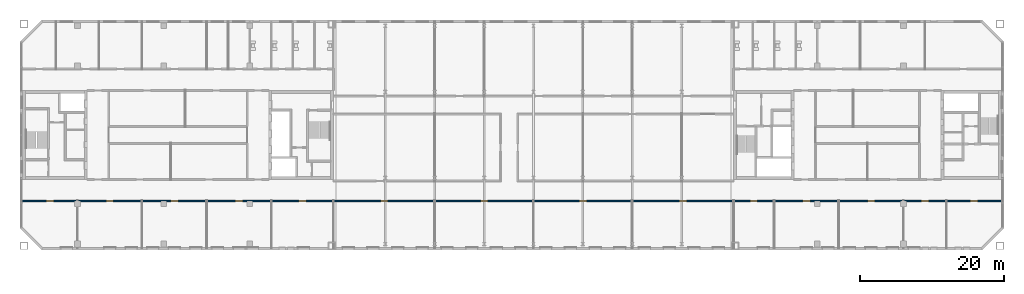
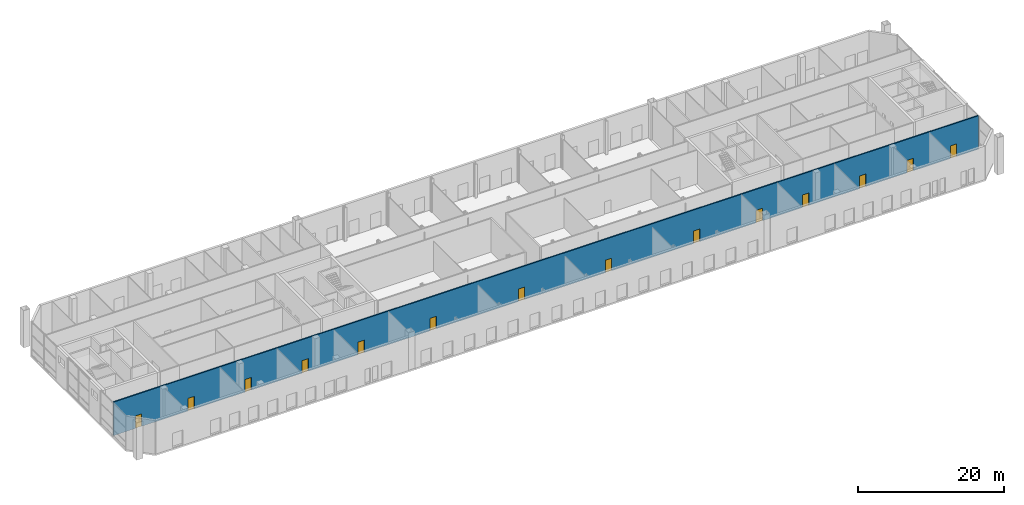
# One storey, part 12 of 20: 14 doors, 1 wall, 14 openings.
"""IFC4 building model written with IfcOpenShell, lengths in metres."""

from ifc_helpers import new_model, si_unit, direction, frame, frame_2d, origin, place, context, subcontext, project, spatial, rectangle, extrude, material, layer, layer_set, type_object, element, fill, save


model = new_model("IFC4")

# Units and contexts
model_context = context("Model", 3, precision=1e-05, world=origin(), true_north=direction((0.0, 1.0)))
body_context = subcontext(model_context, "Body", "Model", "MODEL_VIEW")
ifc_project = project(units=[si_unit("LENGTHUNIT", "METRE"), si_unit("AREAUNIT", "SQUARE_METRE"), si_unit("VOLUMEUNIT", "CUBIC_METRE"), si_unit("PLANEANGLEUNIT", "RADIAN"), si_unit("MASSUNIT", "GRAM", prefix="KILO")], contexts=[model_context])

# Site, building, storey
site_placement = place(None, origin())
site = spatial("IfcSite", under=ifc_project, at=site_placement, CompositionType="ELEMENT")
building_placement = place(site_placement, origin())
building = spatial("IfcBuilding", under=site, at=building_placement, Name="Tuart Gate Housing", CompositionType="ELEMENT")
storey_placement = place(building_placement, frame((0.0, 0.0, 215.199951171875)))
storey = spatial("IfcBuildingStorey", under=building, at=storey_placement, Name="L61", CompositionType="ELEMENT", Elevation=215.199951171875)

# Wall, openings, doors
ifc_material_1 = material(Name="Concrete masonry 15 MPa", Category="masonry")
ifc_layer = layer(ifc_material_1, 0.199951171875)
ifc_layer_set = layer_set([ifc_layer], Name="Corridor wall masonry 200")
wall_type = type_object("IfcWallType", Name="Corridor wall masonry 200", PredefinedType="PARTITIONING", material=ifc_layer_set)
wall_placement = place(storey_placement, frame((32.239990234375, 60.800048828125, 0.0), z_axis=(0.0, 0.0, 1.0), x_axis=(1.0, 0.0, 0.0)))
wall = element("IfcWall", 1, at=wall_placement, inside=storey, type_object=wall_type, Name="Corridor wall masonry 200", PredefinedType="PARTITIONING", context=body_context, shape_type="SweptSolid", body=[
    extrude(rectangle(XDim=136.52001953125, YDim=0.199951171875, at=frame_2d((68.260009765625, 0.0))), origin(), (0.0, 0.0, 1.0), 5.60009765625),
])
opening_1_placement = place(wall_placement, frame((3.43994140625, 0.0, 0.0)))
opening_1 = element("IfcOpeningElement", 2, at=opening_1_placement, cuts=wall, Name="Opening D3047", PredefinedType="OPENING", context=body_context, shape_type="SweptSolid", body=[
    extrude(rectangle(XDim=1.0, YDim=2.10009765625, at=frame_2d((0.5, 1.050048828125))), frame((0.0, 0.10986328125, 0.0), z_axis=(0.0, -1.0, 0.0), x_axis=(1.0, 0.0, 0.0)), (0.0, 0.0, 1.0), 0.219970703125),
])
opening_2_placement = place(wall_placement, frame((11.760009765625, 0.0, 0.0)))
opening_2 = element("IfcOpeningElement", 3, at=opening_2_placement, cuts=wall, Name="Opening D3048", PredefinedType="OPENING", context=body_context, shape_type="SweptSolid", body=[
    extrude(rectangle(XDim=1.0, YDim=2.10009765625, at=frame_2d((0.5, 1.050048828125))), frame((0.0, 0.10986328125, 0.0), z_axis=(0.0, -1.0, 0.0), x_axis=(1.0, 0.0, 0.0)), (0.0, 0.0, 1.0), 0.219970703125),
])
opening_3_placement = place(wall_placement, frame((20.760009765625, 0.0, 0.0)))
opening_3 = element("IfcOpeningElement", 4, at=opening_3_placement, cuts=wall, Name="Opening D3049", PredefinedType="OPENING", context=body_context, shape_type="SweptSolid", body=[
    extrude(rectangle(XDim=1.0, YDim=2.10009765625, at=frame_2d((0.5, 1.050048828125))), frame((0.0, 0.10986328125, 0.0), z_axis=(0.0, -1.0, 0.0), x_axis=(1.0, 0.0, 0.0)), (0.0, 0.0, 1.0), 0.219970703125),
])
opening_4_placement = place(wall_placement, frame((29.760009765625, 0.0, 0.0)))
opening_4 = element("IfcOpeningElement", 5, at=opening_4_placement, cuts=wall, Name="Opening D3050", PredefinedType="OPENING", context=body_context, shape_type="SweptSolid", body=[
    extrude(rectangle(XDim=1.0, YDim=2.10009765625, at=frame_2d((0.5, 1.050048828125))), frame((0.0, 0.10986328125, 0.0), z_axis=(0.0, -1.0, 0.0), x_axis=(1.0, 0.0, 0.0)), (0.0, 0.0, 1.0), 0.219970703125),
])
opening_5_placement = place(wall_placement, frame((38.580078125, 0.0, 0.0)))
opening_5 = element("IfcOpeningElement", 6, at=opening_5_placement, cuts=wall, Name="Opening D3051", PredefinedType="OPENING", context=body_context, shape_type="SweptSolid", body=[
    extrude(rectangle(XDim=1.0, YDim=2.10009765625, at=frame_2d((0.5, 1.050048828125))), frame((0.0, 0.10986328125, 0.0), z_axis=(0.0, -1.0, 0.0), x_axis=(1.0, 0.0, 0.0)), (0.0, 0.0, 1.0), 0.219970703125),
])
opening_6_placement = place(wall_placement, frame((49.955078125, 0.0, 0.0)))
opening_6 = element("IfcOpeningElement", 7, at=opening_6_placement, cuts=wall, Name="Opening D3043", PredefinedType="OPENING", context=body_context, shape_type="SweptSolid", body=[
    extrude(rectangle(XDim=1.0, YDim=2.10009765625, at=frame_2d((0.5, 1.050048828125))), frame((0.0, 0.10986328125, 0.0), z_axis=(0.0, -1.0, 0.0), x_axis=(1.0, 0.0, 0.0)), (0.0, 0.0, 1.0), 0.219970703125),
])
opening_7_placement = place(wall_placement, frame((63.885009765625, 0.0, 0.0)))
opening_7 = element("IfcOpeningElement", 8, at=opening_7_placement, cuts=wall, Name="Opening D3044", PredefinedType="OPENING", context=body_context, shape_type="SweptSolid", body=[
    extrude(rectangle(XDim=1.0, YDim=2.10009765625, at=frame_2d((0.5, 1.050048828125))), frame((0.0, 0.10986328125, 0.0), z_axis=(0.0, -1.0, 0.0), x_axis=(1.0, 0.0, 0.0)), (0.0, 0.0, 1.0), 0.219970703125),
])
opening_8_placement = place(wall_placement, frame((77.635009765625, 0.0, 0.0)))
opening_8 = element("IfcOpeningElement", 9, at=opening_8_placement, cuts=wall, Name="Opening D3045", PredefinedType="OPENING", context=body_context, shape_type="SweptSolid", body=[
    extrude(rectangle(XDim=1.0, YDim=2.10009765625, at=frame_2d((0.5, 1.050048828125))), frame((0.0, 0.10986328125, 0.0), z_axis=(0.0, -1.0, 0.0), x_axis=(1.0, 0.0, 0.0)), (0.0, 0.0, 1.0), 0.219970703125),
])
opening_9_placement = place(wall_placement, frame((91.56494140625, 0.0, 0.0)))
opening_9 = element("IfcOpeningElement", 10, at=opening_9_placement, cuts=wall, Name="Opening D3046", PredefinedType="OPENING", context=body_context, shape_type="SweptSolid", body=[
    extrude(rectangle(XDim=1.0, YDim=2.10009765625, at=frame_2d((0.5, 1.050048828125))), frame((0.0, 0.10986328125, 0.0), z_axis=(0.0, -1.0, 0.0), x_axis=(1.0, 0.0, 0.0)), (0.0, 0.0, 1.0), 0.219970703125),
])
opening_10_placement = place(wall_placement, frame((101.43994140625, 0.0, 0.0)))
opening_10 = element("IfcOpeningElement", 11, at=opening_10_placement, cuts=wall, Name="Opening D3052", PredefinedType="OPENING", context=body_context, shape_type="SweptSolid", body=[
    extrude(rectangle(XDim=1.0, YDim=2.10009765625, at=frame_2d((0.5, 1.050048828125))), frame((0.0, 0.10986328125, 0.0), z_axis=(0.0, -1.0, 0.0), x_axis=(1.0, 0.0, 0.0)), (0.0, 0.0, 1.0), 0.219970703125),
])
opening_11_placement = place(wall_placement, frame((108.760009765625, 0.0, 0.0)))
opening_11 = element("IfcOpeningElement", 12, at=opening_11_placement, cuts=wall, Name="Opening D3053", PredefinedType="OPENING", context=body_context, shape_type="SweptSolid", body=[
    extrude(rectangle(XDim=1.0, YDim=2.10009765625, at=frame_2d((0.5, 1.050048828125))), frame((0.0, 0.10986328125, 0.0), z_axis=(0.0, -1.0, 0.0), x_axis=(1.0, 0.0, 0.0)), (0.0, 0.0, 1.0), 0.219970703125),
])
opening_12_placement = place(wall_placement, frame((117.760009765625, 0.0, 0.0)))
opening_12 = element("IfcOpeningElement", 13, at=opening_12_placement, cuts=wall, Name="Opening D3054", PredefinedType="OPENING", context=body_context, shape_type="SweptSolid", body=[
    extrude(rectangle(XDim=1.0, YDim=2.10009765625, at=frame_2d((0.5, 1.050048828125))), frame((0.0, 0.10986328125, 0.0), z_axis=(0.0, -1.0, 0.0), x_axis=(1.0, 0.0, 0.0)), (0.0, 0.0, 1.0), 0.219970703125),
])
opening_13_placement = place(wall_placement, frame((125.260009765625, 0.0, 0.0)))
opening_13 = element("IfcOpeningElement", 14, at=opening_13_placement, cuts=wall, Name="Opening D3055", PredefinedType="OPENING", context=body_context, shape_type="SweptSolid", body=[
    extrude(rectangle(XDim=1.0, YDim=2.10009765625, at=frame_2d((0.5, 1.050048828125))), frame((0.0, 0.10986328125, 0.0), z_axis=(0.0, -1.0, 0.0), x_axis=(1.0, 0.0, 0.0)), (0.0, 0.0, 1.0), 0.219970703125),
])
opening_14_placement = place(wall_placement, frame((132.080078125, 0.0, 0.0)))
opening_14 = element("IfcOpeningElement", 15, at=opening_14_placement, cuts=wall, Name="Opening D3056", PredefinedType="OPENING", context=body_context, shape_type="SweptSolid", body=[
    extrude(rectangle(XDim=1.0, YDim=2.10009765625, at=frame_2d((0.5, 1.050048828125))), frame((0.0, 0.10986328125, 0.0), z_axis=(0.0, -1.0, 0.0), x_axis=(1.0, 0.0, 0.0)), (0.0, 0.0, 1.0), 0.219970703125),
])
ifc_material_2 = material(Name="Timber door leaf in steel frame", Category="steel")
door_type_1 = type_object("IfcDoorType", Name="Fire door 1000", OperationType="SINGLE_SWING_LEFT", PredefinedType="DOOR", material=ifc_material_2)
door_1_placement = place(opening_1_placement, frame((1.0, 0.0, 0.0), z_axis=(0.0, 0.0, 1.0), x_axis=(-1.0, 0.0, 0.0)))
door_1 = element("IfcDoor", 16, at=door_1_placement, inside=storey, type_object=door_type_1, Name="Fire door 1000", OperationType="SINGLE_SWING_LEFT", OverallHeight=2.10009765625, OverallWidth=1.0, PredefinedType="DOOR", context=body_context, shape_type="SweptSolid", body=[
    extrude(rectangle(XDim=1.0, YDim=2.10009765625, at=frame_2d((0.5, 1.050048828125))), frame((0.0, 0.025146484375, 0.0), z_axis=(0.0, -1.0, 0.0), x_axis=(1.0, 0.0, 0.0)), (0.0, 0.0, 1.0), 0.050048828125),
])
fill(opening_1, door_1)
door_2_placement = place(opening_6_placement, origin())
door_2 = element("IfcDoor", 17, at=door_2_placement, inside=storey, type_object=door_type_1, Name="Fire door 1000", OperationType="SINGLE_SWING_LEFT", OverallHeight=2.10009765625, OverallWidth=1.0, PredefinedType="DOOR", context=body_context, shape_type="SweptSolid", body=[
    extrude(rectangle(XDim=1.0, YDim=2.10009765625, at=frame_2d((0.5, 1.050048828125))), frame((0.0, 0.02490234375, 0.0), z_axis=(0.0, -1.0, 0.0), x_axis=(1.0, 0.0, 0.0)), (0.0, 0.0, 1.0), 0.050048828125),
])
fill(opening_6, door_2)
ifc_material_3 = material(Name="Timber door leaf in steel frame", Category="steel")
door_type_2 = type_object("IfcDoorType", Name="Fire door 1000 RH", OperationType="SINGLE_SWING_RIGHT", PredefinedType="DOOR", material=ifc_material_3)
door_3_placement = place(opening_2_placement, frame((1.0, 0.0, 0.0), z_axis=(0.0, 0.0, 1.0), x_axis=(-1.0, 0.0, 0.0)))
door_3 = element("IfcDoor", 18, at=door_3_placement, inside=storey, type_object=door_type_2, Name="Fire door 1000", OperationType="SINGLE_SWING_RIGHT", OverallHeight=2.10009765625, OverallWidth=1.0, PredefinedType="DOOR", context=body_context, shape_type="SweptSolid", body=[
    extrude(rectangle(XDim=1.0, YDim=2.10009765625, at=frame_2d((0.5, 1.050048828125))), frame((0.0, 0.025146484375, 0.0), z_axis=(0.0, -1.0, 0.0), x_axis=(1.0, 0.0, 0.0)), (0.0, 0.0, 1.0), 0.050048828125),
])
fill(opening_2, door_3)
door_4_placement = place(opening_3_placement, frame((1.0, 0.0, 0.0), z_axis=(0.0, 0.0, 1.0), x_axis=(-1.0, 0.0, 0.0)))
door_4 = element("IfcDoor", 19, at=door_4_placement, inside=storey, type_object=door_type_2, Name="Fire door 1000", OperationType="SINGLE_SWING_RIGHT", OverallHeight=2.10009765625, OverallWidth=1.0, PredefinedType="DOOR", context=body_context, shape_type="SweptSolid", body=[
    extrude(rectangle(XDim=1.0, YDim=2.10009765625, at=frame_2d((0.5, 1.050048828125))), frame((0.0, 0.025146484375, 0.0), z_axis=(0.0, -1.0, 0.0), x_axis=(1.0, 0.0, 0.0)), (0.0, 0.0, 1.0), 0.050048828125),
])
fill(opening_3, door_4)
door_5_placement = place(opening_4_placement, frame((1.0, 0.0, 0.0), z_axis=(0.0, 0.0, 1.0), x_axis=(-1.0, 0.0, 0.0)))
door_5 = element("IfcDoor", 20, at=door_5_placement, inside=storey, type_object=door_type_2, Name="Fire door 1000", OperationType="SINGLE_SWING_RIGHT", OverallHeight=2.10009765625, OverallWidth=1.0, PredefinedType="DOOR", context=body_context, shape_type="SweptSolid", body=[
    extrude(rectangle(XDim=1.0, YDim=2.10009765625, at=frame_2d((0.5, 1.050048828125))), frame((0.0, 0.025146484375, 0.0), z_axis=(0.0, -1.0, 0.0), x_axis=(1.0, 0.0, 0.0)), (0.0, 0.0, 1.0), 0.050048828125),
])
fill(opening_4, door_5)
door_6_placement = place(opening_5_placement, frame((1.0, 0.0, 0.0), z_axis=(0.0, 0.0, 1.0), x_axis=(-1.0, 0.0, 0.0)))
door_6 = element("IfcDoor", 21, at=door_6_placement, inside=storey, type_object=door_type_2, Name="Fire door 1000", OperationType="SINGLE_SWING_RIGHT", OverallHeight=2.10009765625, OverallWidth=1.0, PredefinedType="DOOR", context=body_context, shape_type="SweptSolid", body=[
    extrude(rectangle(XDim=1.0, YDim=2.10009765625, at=frame_2d((0.5, 1.050048828125))), frame((0.0, 0.025146484375, 0.0), z_axis=(0.0, -1.0, 0.0), x_axis=(1.0, 0.0, 0.0)), (0.0, 0.0, 1.0), 0.050048828125),
])
fill(opening_5, door_6)
door_7_placement = place(opening_7_placement, frame((1.0, 0.0, 0.0), z_axis=(0.0, 0.0, 1.0), x_axis=(-1.0, 0.0, 0.0)))
door_7 = element("IfcDoor", 22, at=door_7_placement, inside=storey, type_object=door_type_2, Name="Fire door 1000", OperationType="SINGLE_SWING_RIGHT", OverallHeight=2.10009765625, OverallWidth=1.0, PredefinedType="DOOR", context=body_context, shape_type="SweptSolid", body=[
    extrude(rectangle(XDim=1.0, YDim=2.10009765625, at=frame_2d((0.5, 1.050048828125))), frame((0.0, 0.025146484375, 0.0), z_axis=(0.0, -1.0, 0.0), x_axis=(1.0, 0.0, 0.0)), (0.0, 0.0, 1.0), 0.050048828125),
])
fill(opening_7, door_7)
door_8_placement = place(opening_8_placement, frame((1.0, 0.0, 0.0), z_axis=(0.0, 0.0, 1.0), x_axis=(-1.0, 0.0, 0.0)))
door_8 = element("IfcDoor", 23, at=door_8_placement, inside=storey, type_object=door_type_2, Name="Fire door 1000", OperationType="SINGLE_SWING_RIGHT", OverallHeight=2.10009765625, OverallWidth=1.0, PredefinedType="DOOR", context=body_context, shape_type="SweptSolid", body=[
    extrude(rectangle(XDim=1.0, YDim=2.10009765625, at=frame_2d((0.5, 1.050048828125))), frame((0.0, 0.025146484375, 0.0), z_axis=(0.0, -1.0, 0.0), x_axis=(1.0, 0.0, 0.0)), (0.0, 0.0, 1.0), 0.050048828125),
])
fill(opening_8, door_8)
door_9_placement = place(opening_9_placement, frame((1.0, 0.0, 0.0), z_axis=(0.0, 0.0, 1.0), x_axis=(-1.0, 0.0, 0.0)))
door_9 = element("IfcDoor", 24, at=door_9_placement, inside=storey, type_object=door_type_2, Name="Fire door 1000", OperationType="SINGLE_SWING_RIGHT", OverallHeight=2.10009765625, OverallWidth=1.0, PredefinedType="DOOR", context=body_context, shape_type="SweptSolid", body=[
    extrude(rectangle(XDim=1.0, YDim=2.10009765625, at=frame_2d((0.5, 1.050048828125))), frame((0.0, 0.025146484375, 0.0), z_axis=(0.0, -1.0, 0.0), x_axis=(1.0, 0.0, 0.0)), (0.0, 0.0, 1.0), 0.050048828125),
])
fill(opening_9, door_9)
door_10_placement = place(opening_10_placement, frame((1.0, 0.0, 0.0), z_axis=(0.0, 0.0, 1.0), x_axis=(-1.0, 0.0, 0.0)))
door_10 = element("IfcDoor", 25, at=door_10_placement, inside=storey, type_object=door_type_2, Name="Fire door 1000", OperationType="SINGLE_SWING_RIGHT", OverallHeight=2.10009765625, OverallWidth=1.0, PredefinedType="DOOR", context=body_context, shape_type="SweptSolid", body=[
    extrude(rectangle(XDim=1.0, YDim=2.10009765625, at=frame_2d((0.5, 1.050048828125))), frame((0.0, 0.025146484375, 0.0), z_axis=(0.0, -1.0, 0.0), x_axis=(1.0, 0.0, 0.0)), (0.0, 0.0, 1.0), 0.050048828125),
])
fill(opening_10, door_10)
door_11_placement = place(opening_11_placement, frame((1.0, 0.0, 0.0), z_axis=(0.0, 0.0, 1.0), x_axis=(-1.0, 0.0, 0.0)))
door_11 = element("IfcDoor", 26, at=door_11_placement, inside=storey, type_object=door_type_2, Name="Fire door 1000", OperationType="SINGLE_SWING_RIGHT", OverallHeight=2.10009765625, OverallWidth=1.0, PredefinedType="DOOR", context=body_context, shape_type="SweptSolid", body=[
    extrude(rectangle(XDim=1.0, YDim=2.10009765625, at=frame_2d((0.5, 1.050048828125))), frame((0.0, 0.025146484375, 0.0), z_axis=(0.0, -1.0, 0.0), x_axis=(1.0, 0.0, 0.0)), (0.0, 0.0, 1.0), 0.050048828125),
])
fill(opening_11, door_11)
door_12_placement = place(opening_12_placement, frame((1.0, 0.0, 0.0), z_axis=(0.0, 0.0, 1.0), x_axis=(-1.0, 0.0, 0.0)))
door_12 = element("IfcDoor", 27, at=door_12_placement, inside=storey, type_object=door_type_2, Name="Fire door 1000", OperationType="SINGLE_SWING_RIGHT", OverallHeight=2.10009765625, OverallWidth=1.0, PredefinedType="DOOR", context=body_context, shape_type="SweptSolid", body=[
    extrude(rectangle(XDim=1.0, YDim=2.10009765625, at=frame_2d((0.5, 1.050048828125))), frame((0.0, 0.025146484375, 0.0), z_axis=(0.0, -1.0, 0.0), x_axis=(1.0, 0.0, 0.0)), (0.0, 0.0, 1.0), 0.050048828125),
])
fill(opening_12, door_12)
door_13_placement = place(opening_13_placement, frame((1.0, 0.0, 0.0), z_axis=(0.0, 0.0, 1.0), x_axis=(-1.0, 0.0, 0.0)))
door_13 = element("IfcDoor", 28, at=door_13_placement, inside=storey, type_object=door_type_2, Name="Fire door 1000", OperationType="SINGLE_SWING_RIGHT", OverallHeight=2.10009765625, OverallWidth=1.0, PredefinedType="DOOR", context=body_context, shape_type="SweptSolid", body=[
    extrude(rectangle(XDim=1.0, YDim=2.10009765625, at=frame_2d((0.5, 1.050048828125))), frame((0.0, 0.025146484375, 0.0), z_axis=(0.0, -1.0, 0.0), x_axis=(1.0, 0.0, 0.0)), (0.0, 0.0, 1.0), 0.050048828125),
])
fill(opening_13, door_13)
door_14_placement = place(opening_14_placement, frame((1.0, 0.0, 0.0), z_axis=(0.0, 0.0, 1.0), x_axis=(-1.0, 0.0, 0.0)))
door_14 = element("IfcDoor", 29, at=door_14_placement, inside=storey, type_object=door_type_2, Name="Fire door 1000", OperationType="SINGLE_SWING_RIGHT", OverallHeight=2.10009765625, OverallWidth=1.0, PredefinedType="DOOR", context=body_context, shape_type="SweptSolid", body=[
    extrude(rectangle(XDim=1.0, YDim=2.10009765625, at=frame_2d((0.5, 1.050048828125))), frame((0.0, 0.025146484375, 0.0), z_axis=(0.0, -1.0, 0.0), x_axis=(1.0, 0.0, 0.0)), (0.0, 0.0, 1.0), 0.050048828125),
])
fill(opening_14, door_14)

save(model, "model.ifc")
